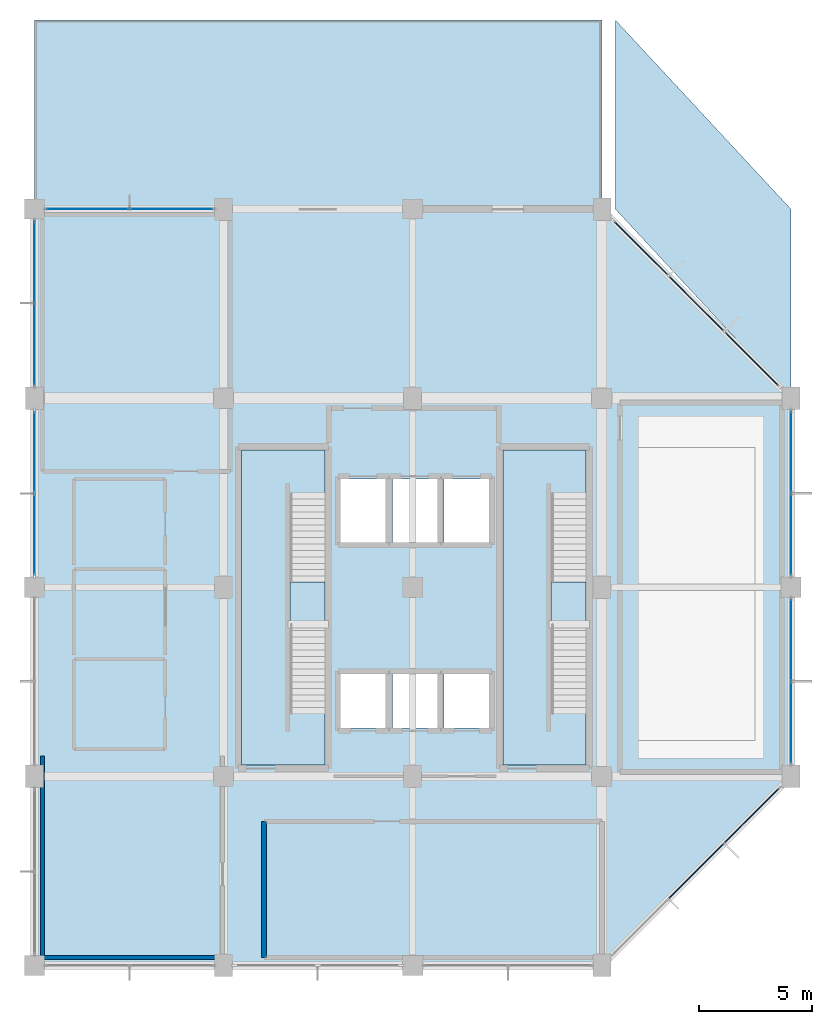
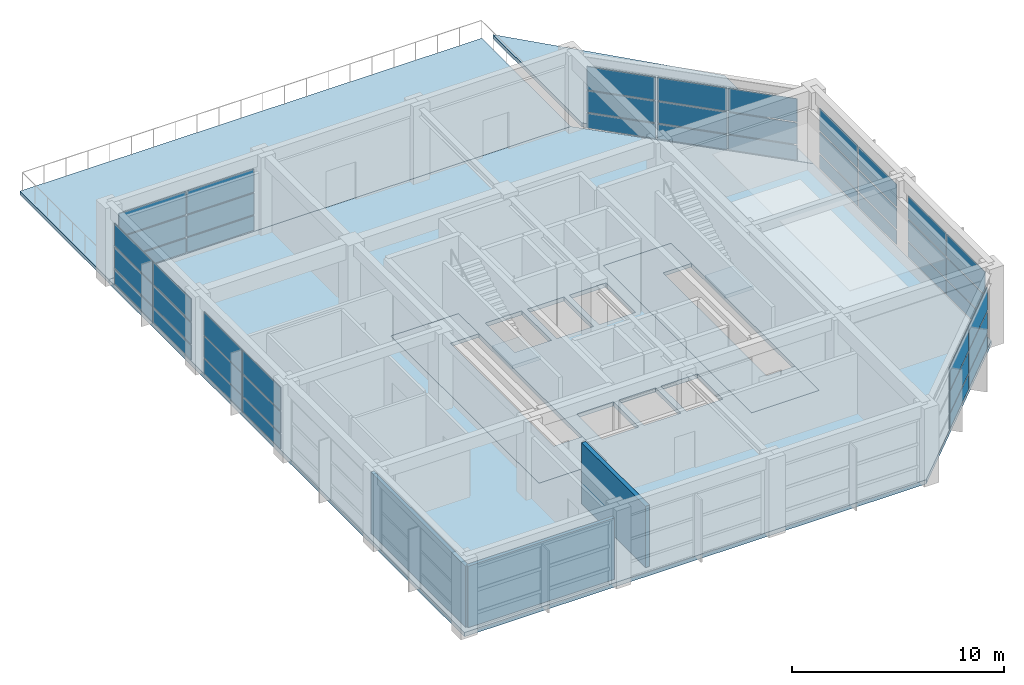
# One storey, part 7 of 10: 45 plates, 7 slabs, 3 walls, 9 elements without a shape of their own.
"""IFC4 building model written with IfcOpenShell, lengths in metres."""

import ifcopenshell
import ifcopenshell.guid

model = None  # the IFC model being written
_history = None  # IfcOwnerHistory: only IFC2X3 demands one
_inside = {}  # id of a spatial element -> (the spatial element, [elements in it])
_under = {}  # id of a project, library or spatial element -> (it, [spatial elements below it])
_declared = {}  # id of a project -> (the project, [libraries it declares])
_typed = {}  # id of a type object -> (the type object, [elements of that type])
_made_of = {}  # id of a material, layer set ... -> (it, [elements and type objects made of it])


def new_model(schema):
    """Start an empty IFC model of exactly this schema.

    Asked for "IFC4X3", IfcOpenShell would pick the latest addendum, in which some entities
    have other attributes; the version numbers below select the first issue.
    IFC2X3 requires an IfcOwnerHistory on every rooted entity: one is made here for all.
    """
    global model, _history
    if schema == "IFC4X3":
        model = ifcopenshell.file(schema_version=(4, 3, 0, 0))
    else:
        model = ifcopenshell.file(schema=schema)
    _inside.clear()
    _under.clear()
    _declared.clear()
    _typed.clear()
    _made_of.clear()
    _history = None
    if model.schema == "IFC2X3":
        org = make("IfcOrganization", Name="unknown")
        user = make(
            "IfcPersonAndOrganization",
            ThePerson=make("IfcPerson", FamilyName="unknown"),
            TheOrganization=org,
        )
        app = make(
            "IfcApplication",
            ApplicationDeveloper=org,
            Version="unknown",
            ApplicationFullName="unknown",
            ApplicationIdentifier="unknown",
        )
        _history = make(
            "IfcOwnerHistory",
            OwningUser=user,
            OwningApplication=app,
            ChangeAction="ADDED",
            CreationDate=0,
        )
    return model


def make(cls, **values):
    """One entity of the class cls with the attributes given. An attribute that is None is left unset."""
    return model.create_entity(
        cls, **{name: value for name, value in values.items() if value is not None}
    )


def rooted(cls, **values):
    """An entity with a GlobalId (a new one), such as an element, a storey or a relation."""
    return make(cls, GlobalId=ifcopenshell.guid.new(), OwnerHistory=_history, **values)


def si_unit(unit_type, name, prefix=None):
    """IfcSIUnit, for example si_unit("LENGTHUNIT", "METRE", prefix="MILLI")."""
    return make("IfcSIUnit", UnitType=unit_type, Prefix=prefix, Name=name)


def assignment(units):
    """IfcUnitAssignment: the units of a project."""
    return None if units is None else make("IfcUnitAssignment", Units=units)


def point(xyz):
    """IfcCartesianPoint."""
    return None if xyz is None else make("IfcCartesianPoint", Coordinates=xyz)


def direction(xyz):
    """IfcDirection."""
    return None if xyz is None else make("IfcDirection", DirectionRatios=xyz)


def frame(location, z_axis=None, x_axis=None):
    """IfcAxis2Placement3D, a coordinate frame: its origin and axes. An axis left out is left unset."""
    return make(
        "IfcAxis2Placement3D",
        Location=point(location),
        Axis=direction(z_axis),
        RefDirection=direction(x_axis),
    )


def frame_2d(location, x_axis=None):
    """IfcAxis2Placement2D, a coordinate frame in the plane: its origin and x axis."""
    return make(
        "IfcAxis2Placement2D", Location=point(location), RefDirection=direction(x_axis)
    )


def origin():
    """The frame at (0, 0, 0) with its axes left unset."""
    return frame((0.0, 0.0, 0.0))


def origin_2d():
    """The frame at (0, 0) in the plane with its x axis left unset."""
    return frame_2d((0.0, 0.0))


def place(relative_to, where):
    """IfcLocalPlacement: puts the frame where relative to a parent placement (None: the world)."""
    return make(
        "IfcLocalPlacement", PlacementRelTo=relative_to, RelativePlacement=where
    )


def context(
    kind, dimensions, precision=None, world=None, true_north=None, identifier=None
):
    """IfcGeometricRepresentationContext, for example the 3D "Model" context."""
    return make(
        "IfcGeometricRepresentationContext",
        ContextIdentifier=identifier,
        ContextType=kind,
        CoordinateSpaceDimension=dimensions,
        Precision=precision,
        WorldCoordinateSystem=world,
        TrueNorth=true_north,
    )


def subcontext(parent, identifier, kind, view, scale=None):
    """IfcGeometricRepresentationSubContext, for example "Body" below "Model"."""
    return make(
        "IfcGeometricRepresentationSubContext",
        ContextIdentifier=identifier,
        ContextType=kind,
        ParentContext=parent,
        TargetScale=scale,
        TargetView=view,
    )


def project(units=None, contexts=None):
    """IfcProject with its units and contexts."""
    return rooted(
        "IfcProject",
        Name="project",
        RepresentationContexts=contexts,
        UnitsInContext=assignment(units),
    )


def spatial(cls, under=None, at=None, **own):
    """A site, building, storey or space (cls), placed at a placement, below another one or the project."""
    s = rooted(cls, ObjectPlacement=at, **own)
    if under is not None:
        _under.setdefault(under.id(), (under, []))[1].append(s)
    return s


def polyline(points):
    """IfcPolyline through the points."""
    return make("IfcPolyline", Points=[point(p) for p in points])


def profile(cls, at=None, kind="AREA", **sizes):
    """A parametric profile (cls). Its sizes go by their IFC names, for example OverallWidth=200.0."""
    return make(cls, ProfileType=kind, Position=at, **sizes)


def rectangle(**sizes):
    """IfcRectangleProfileDef."""
    return profile("IfcRectangleProfileDef", **sizes)


def outline(outer, holes=None, kind="AREA"):
    """IfcArbitraryClosedProfileDef: a profile drawn as a closed curve; with holes, ...WithVoids."""
    if holes is None:
        return make("IfcArbitraryClosedProfileDef", ProfileType=kind, OuterCurve=outer)
    return make(
        "IfcArbitraryProfileDefWithVoids",
        ProfileType=kind,
        OuterCurve=outer,
        InnerCurves=holes,
    )


def extrude(swept, where, along, depth):
    """IfcExtrudedAreaSolid: the profile swept, set in the frame where, extruded along a direction by depth."""
    return make(
        "IfcExtrudedAreaSolid",
        SweptArea=swept,
        Position=where,
        ExtrudedDirection=direction(along),
        Depth=depth,
    )


def shape(context_of_items, identifier, shape_type, items):
    """IfcShapeRepresentation: the items that make up one representation, for example the "Body"."""
    return make(
        "IfcShapeRepresentation",
        ContextOfItems=context_of_items,
        RepresentationIdentifier=identifier,
        RepresentationType=shape_type,
        Items=items,
    )


def material(Name=None, Category=None):
    """IfcMaterial."""
    return make("IfcMaterial", Name=Name, Category=Category)


def layer(
    of_material, thickness, ventilated=None, Name=None, Category=None, Priority=None
):
    """IfcMaterialLayer: one layer of a wall or slab, of a material (None: an air gap)."""
    return make(
        "IfcMaterialLayer",
        Material=of_material,
        LayerThickness=thickness,
        IsVentilated=ventilated,
        Name=Name,
        Category=Category,
        Priority=Priority,
    )


def layer_set(layers, Name=None):
    """IfcMaterialLayerSet."""
    return make("IfcMaterialLayerSet", MaterialLayers=layers, LayerSetName=Name)


def made_of(thing, what):
    """Note that an element or type object is made of a material, layer set ...; save() writes the relation."""
    if what is not None:
        _made_of.setdefault(what.id(), (what, []))[1].append(thing)
    return thing


def type_object(cls, material=None, **own):
    """A type object (cls), such as IfcWallType, which elements share."""
    return made_of(rooted(cls, **own), material)


def element(
    cls,
    number,
    at=None,
    inside=None,
    cuts=None,
    type_object=None,
    material=None,
    context=None,
    identifier="Body",
    shape_type=None,
    held_by="IfcProductDefinitionShape",
    body=None,
    shapes=None,
    **own,
):
    """One element of the class cls, such as IfcWall. Its Tag is "e" and its number.

    at: its placement. inside: the storey or other place that contains it. cuts: it is an
    opening in that element (IfcRelVoidsElement). A single representation is given by context,
    identifier, shape_type and body (its items); several are given by shapes. held_by: the class
    of the entity that holds the representations. save() writes the other relations.
    """
    e = rooted(cls, Tag="e%d" % number, ObjectPlacement=at, **own)
    if body is not None:
        shapes = [shape(context, identifier, shape_type, body)]
    if shapes is not None:
        e.Representation = make(held_by, Representations=shapes)
    if inside is not None:
        _inside.setdefault(inside.id(), (inside, []))[1].append(e)
    if cuts is not None:
        rooted(
            "IfcRelVoidsElement", RelatingBuildingElement=cuts, RelatedOpeningElement=e
        )
    if type_object is not None:
        _typed.setdefault(type_object.id(), (type_object, []))[1].append(e)
    return made_of(e, material)


def aggregate(whole, parts):
    """IfcRelAggregates: a whole, such as a stair, and the parts it consists of."""
    return rooted("IfcRelAggregates", RelatingObject=whole, RelatedObjects=parts)


def save(model, path):
    """Write the relations noted so far, then the file.

    IfcRelAggregates (storeys below a building ...), IfcRelContainedInSpatialStructure (elements
    in a storey), IfcRelDefinesByType, IfcRelAssociatesMaterial and IfcRelDeclares: one each for
    every whole, place, type object, material and project.
    """
    for whole, parts in _under.values():
        aggregate(whole, parts)
    for where, things in _inside.values():
        rooted(
            "IfcRelContainedInSpatialStructure",
            RelatedElements=things,
            RelatingStructure=where,
        )
    for kind, things in _typed.values():
        rooted("IfcRelDefinesByType", RelatedObjects=things, RelatingType=kind)
    for what, things in _made_of.values():
        rooted("IfcRelAssociatesMaterial", RelatedObjects=things, RelatingMaterial=what)
    for by, libraries in _declared.values():
        rooted("IfcRelDeclares", RelatingContext=by, RelatedDefinitions=libraries)
    model.write(path)


model = new_model("IFC4")

# Units and contexts
model_context = context("Model", 3, precision=1e-05, world=origin(), true_north=direction((0.0, 1.0)))
body_context = subcontext(model_context, "Body", "Model", "MODEL_VIEW")
ifc_project = project(units=[si_unit("LENGTHUNIT", "METRE"), si_unit("AREAUNIT", "SQUARE_METRE"), si_unit("VOLUMEUNIT", "CUBIC_METRE"), si_unit("PLANEANGLEUNIT", "RADIAN"), si_unit("MASSUNIT", "GRAM", prefix="KILO")], contexts=[model_context])

# Site, building, storey
site_placement = place(None, origin())
site = spatial("IfcSite", under=ifc_project, at=site_placement, CompositionType="ELEMENT")
building_placement = place(site_placement, origin())
building = spatial("IfcBuilding", under=site, at=building_placement, Name="Xuanlan Plaza Opera House", CompositionType="ELEMENT")
storey_placement = place(building_placement, frame((0.0, 0.0, 69.89990234375)))
storey = spatial("IfcBuildingStorey", under=building, at=storey_placement, Name="L16", CompositionType="ELEMENT", Elevation=69.89990234375)

# Curtain wall, plates
ifc_material_1 = material(Name="Anodised Aluminium 6063-T6 and Low-E Glass", Category="aluminium")
curtain_wall_type_1 = type_object("IfcCurtainWallType", Name="ENV-CW-CW-04", PredefinedType="USERDEFINED", material=ifc_material_1)
curtain_wall_1_placement = place(storey_placement, origin())
curtain_wall_1 = element("IfcCurtainWall", 1, at=curtain_wall_1_placement, inside=storey, type_object=curtain_wall_type_1, Name="Unitised Curtain Wall L16-006", ObjectType="UNITISED CURTAIN WALL", PredefinedType="USERDEFINED")
ifc_material_2 = material(Name="Laminated Acoustic Double Glazing", Category="glass")
ifc_layer_1 = layer(ifc_material_2, 0.028076171875)
ifc_layer_set_1 = layer_set([ifc_layer_1], Name="Laminated Acoustic Double Glazing")
plate_type_1 = type_object("IfcPlateType", Name="ENV-CWP-01", PredefinedType="CURTAIN_PANEL", material=ifc_layer_set_1)
plate_1_placement = place(storey_placement, frame((159.60009765625, 61.142578125, 0.090087890625), z_axis=(0.0, 0.0, 1.0), x_axis=(0.0, 1.0, 0.0)))
plate_1 = element("IfcPlate", 2, at=plate_1_placement, type_object=plate_type_1, Name="CW-04 panel 1.1", PredefinedType="CURTAIN_PANEL", context=body_context, shape_type="SweptSolid", body=[
    extrude(rectangle(XDim=3.5849609375, YDim=0.028076171875, at=origin_2d()), origin(), (0.0, 0.0, 1.0), 0.81494140625),
])
plate_2_placement = place(storey_placement, frame((159.60009765625, 61.142578125, 0.9951171875), z_axis=(0.0, 0.0, 1.0), x_axis=(0.0, 1.0, 0.0)))
plate_2 = element("IfcPlate", 3, at=plate_2_placement, type_object=plate_type_1, Name="CW-04 panel 1.2", PredefinedType="CURTAIN_PANEL", context=body_context, shape_type="SweptSolid", body=[
    extrude(rectangle(XDim=3.5849609375, YDim=0.028076171875, at=origin_2d()), origin(), (0.0, 0.0, 1.0), 1.2099609375),
])
plate_3_placement = place(storey_placement, frame((159.60009765625, 61.142578125, 2.295166015625), z_axis=(0.0, 0.0, 1.0), x_axis=(0.0, 1.0, 0.0)))
plate_3 = element("IfcPlate", 4, at=plate_3_placement, type_object=plate_type_1, Name="CW-04 panel 1.3", PredefinedType="CURTAIN_PANEL", context=body_context, shape_type="SweptSolid", body=[
    extrude(rectangle(XDim=3.5849609375, YDim=0.028076171875, at=origin_2d()), origin(), (0.0, 0.0, 1.0), 1.294921875),
])
plate_4_placement = place(storey_placement, frame((159.60009765625, 64.8076171875, 0.090087890625), z_axis=(0.0, 0.0, 1.0), x_axis=(0.0, 1.0, 0.0)))
plate_4 = element("IfcPlate", 5, at=plate_4_placement, type_object=plate_type_1, Name="CW-04 panel 2.1", PredefinedType="CURTAIN_PANEL", context=body_context, shape_type="SweptSolid", body=[
    extrude(rectangle(XDim=3.5849609375, YDim=0.028076171875, at=origin_2d()), origin(), (0.0, 0.0, 1.0), 0.81494140625),
])
plate_5_placement = place(storey_placement, frame((159.60009765625, 64.8076171875, 0.9951171875), z_axis=(0.0, 0.0, 1.0), x_axis=(0.0, 1.0, 0.0)))
plate_5 = element("IfcPlate", 6, at=plate_5_placement, type_object=plate_type_1, Name="CW-04 panel 2.2", PredefinedType="CURTAIN_PANEL", context=body_context, shape_type="SweptSolid", body=[
    extrude(rectangle(XDim=3.5849609375, YDim=0.028076171875, at=origin_2d()), origin(), (0.0, 0.0, 1.0), 1.2099609375),
])
plate_6_placement = place(storey_placement, frame((159.60009765625, 64.8076171875, 2.295166015625), z_axis=(0.0, 0.0, 1.0), x_axis=(0.0, 1.0, 0.0)))
plate_6 = element("IfcPlate", 7, at=plate_6_placement, type_object=plate_type_1, Name="CW-04 panel 2.3", PredefinedType="CURTAIN_PANEL", context=body_context, shape_type="SweptSolid", body=[
    extrude(rectangle(XDim=3.5849609375, YDim=0.028076171875, at=origin_2d()), origin(), (0.0, 0.0, 1.0), 1.294921875),
])
aggregate(curtain_wall_1, [plate_1, plate_2, plate_3, plate_4, plate_5, plate_6])

curtain_wall_type_2 = type_object("IfcCurtainWallType", Name="ENV-CW-CW-01", PredefinedType="USERDEFINED", material=ifc_material_1)
curtain_wall_2_placement = place(storey_placement, origin())
curtain_wall_2 = element("IfcCurtainWall", 8, at=curtain_wall_2_placement, inside=storey, type_object=curtain_wall_type_2, Name="Unitised Curtain Wall L16-011", ObjectType="UNITISED CURTAIN WALL", PredefinedType="USERDEFINED")
plate_7_placement = place(storey_placement, frame((126.0, 73.257568359375, 0.090087890625), z_axis=(0.0, 0.0, 1.0), x_axis=(0.0, -1.0, 0.0)))
plate_7 = element("IfcPlate", 9, at=plate_7_placement, type_object=plate_type_1, Name="CW-01 panel 1.1", PredefinedType="CURTAIN_PANEL", context=body_context, shape_type="SweptSolid", body=[
    extrude(rectangle(XDim=3.5849609375, YDim=0.028076171875, at=origin_2d()), origin(), (0.0, 0.0, 1.0), 0.81494140625),
])
plate_8_placement = place(storey_placement, frame((126.0, 73.257568359375, 0.9951171875), z_axis=(0.0, 0.0, 1.0), x_axis=(0.0, -1.0, 0.0)))
plate_8 = element("IfcPlate", 10, at=plate_8_placement, type_object=plate_type_1, Name="CW-01 panel 1.2", PredefinedType="CURTAIN_PANEL", context=body_context, shape_type="SweptSolid", body=[
    extrude(rectangle(XDim=3.5849609375, YDim=0.028076171875, at=origin_2d()), origin(), (0.0, 0.0, 1.0), 1.2099609375),
])
plate_9_placement = place(storey_placement, frame((126.0, 73.257568359375, 2.295166015625), z_axis=(0.0, 0.0, 1.0), x_axis=(0.0, -1.0, 0.0)))
plate_9 = element("IfcPlate", 11, at=plate_9_placement, type_object=plate_type_1, Name="CW-01 panel 1.3", PredefinedType="CURTAIN_PANEL", context=body_context, shape_type="SweptSolid", body=[
    extrude(rectangle(XDim=3.5849609375, YDim=0.028076171875, at=origin_2d()), origin(), (0.0, 0.0, 1.0), 1.294921875),
])
plate_10_placement = place(storey_placement, frame((126.0, 69.592529296875, 0.090087890625), z_axis=(0.0, 0.0, 1.0), x_axis=(0.0, -1.0, 0.0)))
plate_10 = element("IfcPlate", 12, at=plate_10_placement, type_object=plate_type_1, Name="CW-01 panel 2.1", PredefinedType="CURTAIN_PANEL", context=body_context, shape_type="SweptSolid", body=[
    extrude(rectangle(XDim=3.5849609375, YDim=0.028076171875, at=origin_2d()), origin(), (0.0, 0.0, 1.0), 0.81494140625),
])
plate_11_placement = place(storey_placement, frame((126.0, 69.592529296875, 0.9951171875), z_axis=(0.0, 0.0, 1.0), x_axis=(0.0, -1.0, 0.0)))
plate_11 = element("IfcPlate", 13, at=plate_11_placement, type_object=plate_type_1, Name="CW-01 panel 2.2", PredefinedType="CURTAIN_PANEL", context=body_context, shape_type="SweptSolid", body=[
    extrude(rectangle(XDim=3.5849609375, YDim=0.028076171875, at=origin_2d()), origin(), (0.0, 0.0, 1.0), 1.2099609375),
])
plate_12_placement = place(storey_placement, frame((126.0, 69.592529296875, 2.295166015625), z_axis=(0.0, 0.0, 1.0), x_axis=(0.0, -1.0, 0.0)))
plate_12 = element("IfcPlate", 14, at=plate_12_placement, type_object=plate_type_1, Name="CW-01 panel 2.3", PredefinedType="CURTAIN_PANEL", context=body_context, shape_type="SweptSolid", body=[
    extrude(rectangle(XDim=3.5849609375, YDim=0.028076171875, at=origin_2d()), origin(), (0.0, 0.0, 1.0), 1.294921875),
])
aggregate(curtain_wall_2, [plate_7, plate_8, plate_9, plate_10, plate_11, plate_12])

curtain_wall_type_3 = type_object("IfcCurtainWallType", Name="ENV-CW-CW-03", PredefinedType="USERDEFINED", material=ifc_material_1)
curtain_wall_3_placement = place(storey_placement, origin())
curtain_wall_3 = element("IfcCurtainWall", 15, at=curtain_wall_3_placement, inside=storey, type_object=curtain_wall_type_3, Name="Unitised Curtain Wall L16-005", ObjectType="UNITISED CURTAIN WALL", PredefinedType="USERDEFINED")
ifc_layer_2 = layer(ifc_material_2, 0.035888671875)
ifc_layer_set_2 = layer_set([ifc_layer_2], Name="Laminated Acoustic Double Glazing")
plate_type_2 = type_object("IfcPlateType", Name="ENV-CWP-03", PredefinedType="CURTAIN_PANEL", material=ifc_layer_set_2)
plate_13_placement = place(storey_placement, frame((159.60009765625, 52.791259765625, 0.0751953125), z_axis=(0.0, 0.0, 1.0), x_axis=(0.0, 1.0, 0.0)))
plate_13 = element("IfcPlate", 16, at=plate_13_placement, type_object=plate_type_2, Name="CW-03 panel 1.1", PredefinedType="CURTAIN_PANEL", context=body_context, shape_type="SweptSolid", body=[
    extrude(rectangle(XDim=3.592529296875, YDim=0.035888671875, at=origin_2d()), origin(), (0.0, 0.0, 1.0), 0.83740234375),
])
plate_14_placement = place(storey_placement, frame((159.60009765625, 52.791259765625, 0.987548828125), z_axis=(0.0, 0.0, 1.0), x_axis=(0.0, 1.0, 0.0)))
plate_14 = element("IfcPlate", 17, at=plate_14_placement, type_object=plate_type_2, Name="CW-03 panel 1.2", PredefinedType="CURTAIN_PANEL", context=body_context, shape_type="SweptSolid", body=[
    extrude(rectangle(XDim=3.592529296875, YDim=0.035888671875, at=origin_2d()), origin(), (0.0, 0.0, 1.0), 1.22509765625),
])
plate_15_placement = place(storey_placement, frame((159.60009765625, 52.791259765625, 2.28759765625), z_axis=(0.0, 0.0, 1.0), x_axis=(0.0, 1.0, 0.0)))
plate_15 = element("IfcPlate", 18, at=plate_15_placement, type_object=plate_type_2, Name="CW-03 panel 1.3", PredefinedType="CURTAIN_PANEL", context=body_context, shape_type="SweptSolid", body=[
    extrude(rectangle(XDim=3.592529296875, YDim=0.035888671875, at=origin_2d()), origin(), (0.0, 0.0, 1.0), 1.3173828125),
])
plate_16_placement = place(storey_placement, frame((159.60009765625, 56.458740234375, 0.0751953125), z_axis=(0.0, 0.0, 1.0), x_axis=(0.0, 1.0, 0.0)))
plate_16 = element("IfcPlate", 19, at=plate_16_placement, type_object=plate_type_2, Name="CW-03 panel 2.1", PredefinedType="CURTAIN_PANEL", context=body_context, shape_type="SweptSolid", body=[
    extrude(rectangle(XDim=3.592529296875, YDim=0.035888671875, at=origin_2d()), origin(), (0.0, 0.0, 1.0), 0.83740234375),
])
plate_17_placement = place(storey_placement, frame((159.60009765625, 56.458740234375, 0.987548828125), z_axis=(0.0, 0.0, 1.0), x_axis=(0.0, 1.0, 0.0)))
plate_17 = element("IfcPlate", 20, at=plate_17_placement, type_object=plate_type_2, Name="CW-03 panel 2.2", PredefinedType="CURTAIN_PANEL", context=body_context, shape_type="SweptSolid", body=[
    extrude(rectangle(XDim=3.592529296875, YDim=0.035888671875, at=origin_2d()), origin(), (0.0, 0.0, 1.0), 1.22509765625),
])
plate_18_placement = place(storey_placement, frame((159.60009765625, 56.458740234375, 2.28759765625), z_axis=(0.0, 0.0, 1.0), x_axis=(0.0, 1.0, 0.0)))
plate_18 = element("IfcPlate", 21, at=plate_18_placement, type_object=plate_type_2, Name="CW-03 panel 2.3", PredefinedType="CURTAIN_PANEL", context=body_context, shape_type="SweptSolid", body=[
    extrude(rectangle(XDim=3.592529296875, YDim=0.035888671875, at=origin_2d()), origin(), (0.0, 0.0, 1.0), 1.3173828125),
])
aggregate(curtain_wall_3, [plate_13, plate_14, plate_15, plate_16, plate_17, plate_18])

curtain_wall_4_placement = place(storey_placement, origin())
curtain_wall_4 = element("IfcCurtainWall", 22, at=curtain_wall_4_placement, inside=storey, type_object=curtain_wall_type_1, Name="Unitised Curtain Wall L16-010", ObjectType="UNITISED CURTAIN WALL", PredefinedType="USERDEFINED")
plate_19_placement = place(storey_placement, frame((132.083740234375, 75.60009765625, 0.0751953125), z_axis=(0.0, 0.0, 1.0), x_axis=(-1.0, 0.0, 0.0)))
plate_19 = element("IfcPlate", 23, at=plate_19_placement, type_object=plate_type_2, Name="CW-04 panel 1.1", PredefinedType="CURTAIN_PANEL", context=body_context, shape_type="SweptSolid", body=[
    extrude(rectangle(XDim=3.642578125, YDim=0.035888671875, at=origin_2d()), origin(), (0.0, 0.0, 1.0), 0.83740234375),
])
plate_20_placement = place(storey_placement, frame((132.083740234375, 75.60009765625, 0.987548828125), z_axis=(0.0, 0.0, 1.0), x_axis=(-1.0, 0.0, 0.0)))
plate_20 = element("IfcPlate", 24, at=plate_20_placement, type_object=plate_type_2, Name="CW-04 panel 1.2", PredefinedType="CURTAIN_PANEL", context=body_context, shape_type="SweptSolid", body=[
    extrude(rectangle(XDim=3.642578125, YDim=0.035888671875, at=origin_2d()), origin(), (0.0, 0.0, 1.0), 1.22509765625),
])
plate_21_placement = place(storey_placement, frame((132.083740234375, 75.60009765625, 2.28759765625), z_axis=(0.0, 0.0, 1.0), x_axis=(-1.0, 0.0, 0.0)))
plate_21 = element("IfcPlate", 25, at=plate_21_placement, type_object=plate_type_2, Name="CW-04 panel 1.3", PredefinedType="CURTAIN_PANEL", context=body_context, shape_type="SweptSolid", body=[
    extrude(rectangle(XDim=3.642578125, YDim=0.035888671875, at=origin_2d()), origin(), (0.0, 0.0, 1.0), 1.3173828125),
])
plate_22_placement = place(storey_placement, frame((128.3662109375, 75.60009765625, 0.0751953125), z_axis=(0.0, 0.0, 1.0), x_axis=(-1.0, 0.0, 0.0)))
plate_22 = element("IfcPlate", 26, at=plate_22_placement, type_object=plate_type_2, Name="CW-04 panel 2.1", PredefinedType="CURTAIN_PANEL", context=body_context, shape_type="SweptSolid", body=[
    extrude(rectangle(XDim=3.642578125, YDim=0.035888671875, at=origin_2d()), origin(), (0.0, 0.0, 1.0), 0.83740234375),
])
plate_23_placement = place(storey_placement, frame((128.3662109375, 75.60009765625, 0.987548828125), z_axis=(0.0, 0.0, 1.0), x_axis=(-1.0, 0.0, 0.0)))
plate_23 = element("IfcPlate", 27, at=plate_23_placement, type_object=plate_type_2, Name="CW-04 panel 2.2", PredefinedType="CURTAIN_PANEL", context=body_context, shape_type="SweptSolid", body=[
    extrude(rectangle(XDim=3.642578125, YDim=0.035888671875, at=origin_2d()), origin(), (0.0, 0.0, 1.0), 1.22509765625),
])
plate_24_placement = place(storey_placement, frame((128.3662109375, 75.60009765625, 2.28759765625), z_axis=(0.0, 0.0, 1.0), x_axis=(-1.0, 0.0, 0.0)))
plate_24 = element("IfcPlate", 28, at=plate_24_placement, type_object=plate_type_2, Name="CW-04 panel 2.3", PredefinedType="CURTAIN_PANEL", context=body_context, shape_type="SweptSolid", body=[
    extrude(rectangle(XDim=3.642578125, YDim=0.035888671875, at=origin_2d()), origin(), (0.0, 0.0, 1.0), 1.3173828125),
])
aggregate(curtain_wall_4, [plate_19, plate_20, plate_21, plate_22, plate_23, plate_24])

curtain_wall_5_placement = place(storey_placement, origin())
curtain_wall_5 = element("IfcCurtainWall", 29, at=curtain_wall_5_placement, inside=storey, type_object=curtain_wall_type_2, Name="Unitised Curtain Wall L16-007", ObjectType="UNITISED CURTAIN WALL", PredefinedType="USERDEFINED")
ifc_layer_3 = layer(ifc_material_2, 0.0400390625)
ifc_layer_set_3 = layer_set([ifc_layer_3], Name="Laminated Acoustic Double Glazing")
plate_type_3 = type_object("IfcPlateType", Name="ENV-CWP-04", PredefinedType="CURTAIN_PANEL", material=ifc_layer_set_3)
plate_25_placement = place(storey_placement, frame((157.851318359375, 68.948486328125, 0.0703125), z_axis=(0.0, 0.0, 1.0), x_axis=(-0.707106781187, 0.707106781187, 0.0)))
plate_25 = element("IfcPlate", 30, at=plate_25_placement, type_object=plate_type_3, Name="CW-01 panel 1.1", PredefinedType="CURTAIN_PANEL", context=body_context, shape_type="SweptSolid", body=[
    extrude(rectangle(XDim=3.354248046875, YDim=0.0400390625, at=origin_2d()), origin(), (0.0, 0.0, 1.0), 0.844970703125),
])
plate_26_placement = place(storey_placement, frame((157.851318359375, 68.948486328125, 0.985107421875), z_axis=(0.0, 0.0, 1.0), x_axis=(-0.707106781187, 0.707106781187, 0.0)))
plate_26 = element("IfcPlate", 31, at=plate_26_placement, type_object=plate_type_3, Name="CW-01 panel 1.2", PredefinedType="CURTAIN_PANEL", context=body_context, shape_type="SweptSolid", body=[
    extrude(rectangle(XDim=3.354248046875, YDim=0.0400390625, at=origin_2d()), origin(), (0.0, 0.0, 1.0), 1.22998046875),
])
plate_27_placement = place(storey_placement, frame((157.851318359375, 68.948486328125, 2.28515625), z_axis=(0.0, 0.0, 1.0), x_axis=(-0.707106781187, 0.707106781187, 0.0)))
plate_27 = element("IfcPlate", 32, at=plate_27_placement, type_object=plate_type_3, Name="CW-01 panel 1.3", PredefinedType="CURTAIN_PANEL", context=body_context, shape_type="SweptSolid", body=[
    extrude(rectangle(XDim=3.354248046875, YDim=0.0400390625, at=origin_2d()), origin(), (0.0, 0.0, 1.0), 1.324951171875),
])
plate_28_placement = place(storey_placement, frame((155.39990234375, 71.39990234375, 0.0703125), z_axis=(0.0, 0.0, 1.0), x_axis=(-0.707106781187, 0.707106781187, 0.0)))
plate_28 = element("IfcPlate", 33, at=plate_28_placement, type_object=plate_type_3, Name="CW-01 panel 2.1", PredefinedType="CURTAIN_PANEL", context=body_context, shape_type="SweptSolid", body=[
    extrude(rectangle(XDim=3.3994140625, YDim=0.0400390625, at=origin_2d()), origin(), (0.0, 0.0, 1.0), 0.844970703125),
])
plate_29_placement = place(storey_placement, frame((155.39990234375, 71.39990234375, 0.985107421875), z_axis=(0.0, 0.0, 1.0), x_axis=(-0.707106781187, 0.707106781187, 0.0)))
plate_29 = element("IfcPlate", 34, at=plate_29_placement, type_object=plate_type_3, Name="CW-01 panel 2.2", PredefinedType="CURTAIN_PANEL", context=body_context, shape_type="SweptSolid", body=[
    extrude(rectangle(XDim=3.3994140625, YDim=0.0400390625, at=origin_2d()), origin(), (0.0, 0.0, 1.0), 1.22998046875),
])
plate_30_placement = place(storey_placement, frame((155.39990234375, 71.39990234375, 2.28515625), z_axis=(0.0, 0.0, 1.0), x_axis=(-0.707106781187, 0.707106781187, 0.0)))
plate_30 = element("IfcPlate", 35, at=plate_30_placement, type_object=plate_type_3, Name="CW-01 panel 2.3", PredefinedType="CURTAIN_PANEL", context=body_context, shape_type="SweptSolid", body=[
    extrude(rectangle(XDim=3.3994140625, YDim=0.0400390625, at=origin_2d()), origin(), (0.0, 0.0, 1.0), 1.324951171875),
])
plate_31_placement = place(storey_placement, frame((152.948486328125, 73.851318359375, 0.0703125), z_axis=(0.0, 0.0, 1.0), x_axis=(-0.707106781187, 0.707106781187, 0.0)))
plate_31 = element("IfcPlate", 36, at=plate_31_placement, type_object=plate_type_3, Name="CW-01 panel 3.1", PredefinedType="CURTAIN_PANEL", context=body_context, shape_type="SweptSolid", body=[
    extrude(rectangle(XDim=3.354248046875, YDim=0.0400390625, at=origin_2d()), origin(), (0.0, 0.0, 1.0), 0.844970703125),
])
plate_32_placement = place(storey_placement, frame((152.948486328125, 73.851318359375, 0.985107421875), z_axis=(0.0, 0.0, 1.0), x_axis=(-0.707106781187, 0.707106781187, 0.0)))
plate_32 = element("IfcPlate", 37, at=plate_32_placement, type_object=plate_type_3, Name="CW-01 panel 3.2", PredefinedType="CURTAIN_PANEL", context=body_context, shape_type="SweptSolid", body=[
    extrude(rectangle(XDim=3.354248046875, YDim=0.0400390625, at=origin_2d()), origin(), (0.0, 0.0, 1.0), 1.22998046875),
])
plate_33_placement = place(storey_placement, frame((152.948486328125, 73.851318359375, 2.28515625), z_axis=(0.0, 0.0, 1.0), x_axis=(-0.707106781187, 0.707106781187, 0.0)))
plate_33 = element("IfcPlate", 38, at=plate_33_placement, type_object=plate_type_3, Name="CW-01 panel 3.3", PredefinedType="CURTAIN_PANEL", context=body_context, shape_type="SweptSolid", body=[
    extrude(rectangle(XDim=3.354248046875, YDim=0.0400390625, at=origin_2d()), origin(), (0.0, 0.0, 1.0), 1.324951171875),
])
aggregate(curtain_wall_5, [plate_25, plate_26, plate_27, plate_28, plate_29, plate_30, plate_31, plate_32, plate_33])

curtain_wall_type_4 = type_object("IfcCurtainWallType", Name="ENV-CW-CW-02", PredefinedType="USERDEFINED", material=ifc_material_1)
curtain_wall_6_placement = place(storey_placement, origin())
curtain_wall_6 = element("IfcCurtainWall", 39, at=curtain_wall_6_placement, inside=storey, type_object=curtain_wall_type_4, Name="Unitised Curtain Wall L16-012", ObjectType="UNITISED CURTAIN WALL", PredefinedType="USERDEFINED")
plate_34_placement = place(storey_placement, frame((126.0, 64.804931640625, 0.0703125), z_axis=(0.0, 0.0, 1.0), x_axis=(0.0, -1.0, 0.0)))
plate_34 = element("IfcPlate", 40, at=plate_34_placement, type_object=plate_type_3, Name="CW-02 panel 1.1", PredefinedType="CURTAIN_PANEL", context=body_context, shape_type="SweptSolid", body=[
    extrude(rectangle(XDim=3.570068359375, YDim=0.0400390625, at=origin_2d()), origin(), (0.0, 0.0, 1.0), 0.844970703125),
])
plate_35_placement = place(storey_placement, frame((126.0, 64.804931640625, 0.985107421875), z_axis=(0.0, 0.0, 1.0), x_axis=(0.0, -1.0, 0.0)))
plate_35 = element("IfcPlate", 41, at=plate_35_placement, type_object=plate_type_3, Name="CW-02 panel 1.2", PredefinedType="CURTAIN_PANEL", context=body_context, shape_type="SweptSolid", body=[
    extrude(rectangle(XDim=3.570068359375, YDim=0.0400390625, at=origin_2d()), origin(), (0.0, 0.0, 1.0), 1.22998046875),
])
plate_36_placement = place(storey_placement, frame((126.0, 64.804931640625, 2.28515625), z_axis=(0.0, 0.0, 1.0), x_axis=(0.0, -1.0, 0.0)))
plate_36 = element("IfcPlate", 42, at=plate_36_placement, type_object=plate_type_3, Name="CW-02 panel 1.3", PredefinedType="CURTAIN_PANEL", context=body_context, shape_type="SweptSolid", body=[
    extrude(rectangle(XDim=3.570068359375, YDim=0.0400390625, at=origin_2d()), origin(), (0.0, 0.0, 1.0), 1.324951171875),
])
plate_37_placement = place(storey_placement, frame((126.0, 61.14501953125, 0.0703125), z_axis=(0.0, 0.0, 1.0), x_axis=(0.0, -1.0, 0.0)))
plate_37 = element("IfcPlate", 43, at=plate_37_placement, type_object=plate_type_3, Name="CW-02 panel 2.1", PredefinedType="CURTAIN_PANEL", context=body_context, shape_type="SweptSolid", body=[
    extrude(rectangle(XDim=3.570068359375, YDim=0.0400390625, at=origin_2d()), origin(), (0.0, 0.0, 1.0), 0.844970703125),
])
plate_38_placement = place(storey_placement, frame((126.0, 61.14501953125, 0.985107421875), z_axis=(0.0, 0.0, 1.0), x_axis=(0.0, -1.0, 0.0)))
plate_38 = element("IfcPlate", 44, at=plate_38_placement, type_object=plate_type_3, Name="CW-02 panel 2.2", PredefinedType="CURTAIN_PANEL", context=body_context, shape_type="SweptSolid", body=[
    extrude(rectangle(XDim=3.570068359375, YDim=0.0400390625, at=origin_2d()), origin(), (0.0, 0.0, 1.0), 1.22998046875),
])
plate_39_placement = place(storey_placement, frame((126.0, 61.14501953125, 2.28515625), z_axis=(0.0, 0.0, 1.0), x_axis=(0.0, -1.0, 0.0)))
plate_39 = element("IfcPlate", 45, at=plate_39_placement, type_object=plate_type_3, Name="CW-02 panel 2.3", PredefinedType="CURTAIN_PANEL", context=body_context, shape_type="SweptSolid", body=[
    extrude(rectangle(XDim=3.570068359375, YDim=0.0400390625, at=origin_2d()), origin(), (0.0, 0.0, 1.0), 1.324951171875),
])
aggregate(curtain_wall_6, [plate_34, plate_35, plate_36, plate_37, plate_38, plate_39])

curtain_wall_7_placement = place(storey_placement, origin())
curtain_wall_7 = element("IfcCurtainWall", 46, at=curtain_wall_7_placement, inside=storey, type_object=curtain_wall_type_4, Name="Unitised Curtain Wall L16-004", ObjectType="UNITISED CURTAIN WALL", PredefinedType="USERDEFINED")
ifc_layer_4 = layer(ifc_material_2, 0.0439453125)
ifc_layer_set_4 = layer_set([ifc_layer_4], Name="Laminated Acoustic Double Glazing")
plate_type_4 = type_object("IfcPlateType", Name="ENV-CWP-05", PredefinedType="CURTAIN_PANEL", material=ifc_layer_set_4)
plate_40_placement = place(storey_placement, frame((155.39990234375, 46.199951171875, 0.065185546875), z_axis=(0.0, 0.0, 1.0), x_axis=(0.707106781187, 0.707106781187, 0.0)))
plate_40 = element("IfcPlate", 47, at=plate_40_placement, type_object=plate_type_4, Name="CW-02 panel 2.1", PredefinedType="CURTAIN_PANEL", context=body_context, shape_type="SweptSolid", body=[
    extrude(rectangle(XDim=3.41943359375, YDim=0.0439453125, at=origin_2d()), origin(), (0.0, 0.0, 1.0), 0.8525390625),
])
plate_41_placement = place(storey_placement, frame((155.39990234375, 46.199951171875, 0.982421875), z_axis=(0.0, 0.0, 1.0), x_axis=(0.707106781187, 0.707106781187, 0.0)))
plate_41 = element("IfcPlate", 48, at=plate_41_placement, type_object=plate_type_4, Name="CW-02 panel 2.2", PredefinedType="CURTAIN_PANEL", context=body_context, shape_type="SweptSolid", body=[
    extrude(rectangle(XDim=3.41943359375, YDim=0.0439453125, at=origin_2d()), origin(), (0.0, 0.0, 1.0), 1.235107421875),
])
plate_42_placement = place(storey_placement, frame((155.39990234375, 46.199951171875, 2.282470703125), z_axis=(0.0, 0.0, 1.0), x_axis=(0.707106781187, 0.707106781187, 0.0)))
plate_42 = element("IfcPlate", 49, at=plate_42_placement, type_object=plate_type_4, Name="CW-02 panel 2.3", PredefinedType="CURTAIN_PANEL", context=body_context, shape_type="SweptSolid", body=[
    extrude(rectangle(XDim=3.41943359375, YDim=0.0439453125, at=origin_2d()), origin(), (0.0, 0.0, 1.0), 1.33251953125),
])
plate_43_placement = place(storey_placement, frame((157.85498046875, 48.655029296875, 0.065185546875), z_axis=(0.0, 0.0, 1.0), x_axis=(0.707106781187, 0.707106781187, 0.0)))
plate_43 = element("IfcPlate", 50, at=plate_43_placement, type_object=plate_type_4, Name="CW-02 panel 3.1", PredefinedType="CURTAIN_PANEL", context=body_context, shape_type="SweptSolid", body=[
    extrude(rectangle(XDim=3.38427734375, YDim=0.0439453125, at=origin_2d()), origin(), (0.0, 0.0, 1.0), 0.8525390625),
])
plate_44_placement = place(storey_placement, frame((157.85498046875, 48.655029296875, 0.982421875), z_axis=(0.0, 0.0, 1.0), x_axis=(0.707106781187, 0.707106781187, 0.0)))
plate_44 = element("IfcPlate", 51, at=plate_44_placement, type_object=plate_type_4, Name="CW-02 panel 3.2", PredefinedType="CURTAIN_PANEL", context=body_context, shape_type="SweptSolid", body=[
    extrude(rectangle(XDim=3.38427734375, YDim=0.0439453125, at=origin_2d()), origin(), (0.0, 0.0, 1.0), 1.235107421875),
])
plate_45_placement = place(storey_placement, frame((157.85498046875, 48.655029296875, 2.282470703125), z_axis=(0.0, 0.0, 1.0), x_axis=(0.707106781187, 0.707106781187, 0.0)))
plate_45 = element("IfcPlate", 52, at=plate_45_placement, type_object=plate_type_4, Name="CW-02 panel 3.3", PredefinedType="CURTAIN_PANEL", context=body_context, shape_type="SweptSolid", body=[
    extrude(rectangle(XDim=3.38427734375, YDim=0.0439453125, at=origin_2d()), origin(), (0.0, 0.0, 1.0), 1.33251953125),
])
aggregate(curtain_wall_7, [plate_40, plate_41, plate_42, plate_43, plate_44, plate_45])

# Stair, slabs
ifc_material_3 = material(Name="Concrete C40", Category="concrete")
stair_type = type_object("IfcStairType", Name="INT-ST-STR-T155", PredefinedType="STRAIGHT_RUN_STAIR", material=ifc_material_3)
stair_1_placement = place(storey_placement, origin())
stair_1 = element("IfcStair", 53, at=stair_1_placement, inside=storey, type_object=stair_type, Name="Protected Exit Stair ST-T1 L16", PredefinedType="STRAIGHT_RUN_STAIR")
ifc_layer_5 = layer(ifc_material_3, 0.199951171875)
ifc_layer_set_5 = layer_set([ifc_layer_5], Name="Concrete C40")
slab_type_1 = type_object("IfcSlabType", Name="INT-SLB-LND-20", PredefinedType="LANDING", material=ifc_layer_set_5)
slab_1_placement = place(storey_placement, frame((0.0, 0.0, 2.050048828125)))
slab_1 = element("IfcSlab", 54, at=slab_1_placement, type_object=slab_type_1, Name="ST-T1-L16 landing 1", PredefinedType="LANDING", context=body_context, shape_type="SweptSolid", body=[
    extrude(outline(polyline([(137.35009765625, 57.135009765625), (138.89990234375, 57.135009765625), (138.89990234375, 59.034912109375), (137.35009765625, 59.034912109375), (137.35009765625, 57.135009765625)])), origin(), (0.0, 0.0, 1.0), 0.199951171875),
])
slab_2_placement = place(storey_placement, frame((0.0, 0.0, -0.199951171875)))
slab_2 = element("IfcSlab", 55, at=slab_2_placement, type_object=slab_type_1, Name="ST-T1-L16 landing 2", PredefinedType="LANDING", context=body_context, shape_type="SweptSolid", body=[
    extrude(outline(polyline([(135.199951171875, 50.89990234375), (138.89990234375, 50.89990234375), (138.89990234375, 53.195068359375), (137.35009765625, 53.195068359375), (137.35009765625, 62.97509765625), (138.89990234375, 62.97509765625), (138.89990234375, 64.89990234375), (135.199951171875, 64.89990234375), (135.199951171875, 50.89990234375)])), origin(), (0.0, 0.0, 1.0), 0.199951171875),
])
aggregate(stair_1, [slab_1, slab_2])

stair_2_placement = place(storey_placement, origin())
stair_2 = element("IfcStair", 56, at=stair_2_placement, inside=storey, type_object=stair_type, Name="Protected Exit Stair ST-T2 L16", PredefinedType="STRAIGHT_RUN_STAIR")
slab_3_placement = place(storey_placement, frame((0.0, 0.0, 2.050048828125)))
slab_3 = element("IfcSlab", 57, at=slab_3_placement, type_object=slab_type_1, Name="ST-T2-L16 landing 1", PredefinedType="LANDING", context=body_context, shape_type="SweptSolid", body=[
    extrude(outline(polyline([(148.949951171875, 57.135009765625), (150.5, 57.135009765625), (150.5, 59.034912109375), (148.949951171875, 59.034912109375), (148.949951171875, 57.135009765625)])), origin(), (0.0, 0.0, 1.0), 0.199951171875),
])
slab_4_placement = place(storey_placement, frame((0.0, 0.0, -0.199951171875)))
slab_4 = element("IfcSlab", 58, at=slab_4_placement, type_object=slab_type_1, Name="ST-T2-L16 landing 2", PredefinedType="LANDING", context=body_context, shape_type="SweptSolid", body=[
    extrude(outline(polyline([(146.800048828125, 50.89990234375), (150.5, 50.89990234375), (150.5, 53.195068359375), (148.949951171875, 53.195068359375), (148.949951171875, 62.97509765625), (150.5, 62.97509765625), (150.5, 64.89990234375), (146.800048828125, 64.89990234375), (146.800048828125, 50.89990234375)])), origin(), (0.0, 0.0, 1.0), 0.199951171875),
])
aggregate(stair_2, [slab_3, slab_4])

# Slabs
ifc_layer_6 = layer(ifc_material_3, 0.22998046875)
ifc_layer_set_6 = layer_set([ifc_layer_6], Name="Concrete C40")
slab_type_2 = type_object("IfcSlabType", Name="STR-SLB-RF-03", PredefinedType="ROOF", material=ifc_layer_set_6)
slab_5_placement = place(storey_placement, frame((0.0, 0.0, -0.22998046875)))
element("IfcSlab", 59, at=slab_5_placement, inside=storey, type_object=slab_type_2, Name="Tower L16 North-East Chamfer Setback Roof Slab", PredefinedType="ROOF", context=body_context, shape_type="SweptSolid", body=[
    extrude(outline(polyline([(151.800048828125, 75.60009765625), (159.60009765625, 67.199951171875), (159.60009765625, 75.60009765625), (151.800048828125, 84.0), (151.800048828125, 75.60009765625)])), origin(), (0.0, 0.0, 1.0), 0.22998046875),
])
ifc_layer_7 = layer(ifc_material_3, 0.239990234375)
ifc_layer_set_7 = layer_set([ifc_layer_7], Name="Concrete C40")
slab_type_3 = type_object("IfcSlabType", Name="STR-SLB-SL-03", PredefinedType="FLOOR", material=ifc_layer_set_7)
slab_6_placement = place(storey_placement, frame((0.0, 0.0, -0.239990234375)))
element("IfcSlab", 60, at=slab_6_placement, inside=storey, type_object=slab_type_3, Name="Storey L16 Structural Floor Slab", PredefinedType="FLOOR", context=body_context, shape_type="SweptSolid", body=[
    extrude(outline(polyline([(126.0, 42.0), (151.199951171875, 42.0), (159.60009765625, 50.39990234375), (159.60009765625, 67.199951171875), (151.199951171875, 75.60009765625), (126.0, 75.60009765625), (126.0, 42.0)]), holes=[polyline([(135.199951171875, 50.89990234375), (138.89990234375, 50.89990234375), (138.89990234375, 64.89990234375), (135.199951171875, 64.89990234375), (135.199951171875, 50.89990234375)]), polyline([(146.800048828125, 50.89990234375), (150.5, 50.89990234375), (150.5, 64.89990234375), (146.800048828125, 64.89990234375), (146.800048828125, 50.89990234375)]), polyline([(139.60009765625, 60.800048828125), (141.60009765625, 60.800048828125), (141.60009765625, 63.60009765625), (139.60009765625, 63.60009765625), (139.60009765625, 60.800048828125)]), polyline([(141.89990234375, 60.800048828125), (143.89990234375, 60.800048828125), (143.89990234375, 63.60009765625), (141.89990234375, 63.60009765625), (141.89990234375, 60.800048828125)]), polyline([(144.199951171875, 60.800048828125), (146.199951171875, 60.800048828125), (146.199951171875, 63.60009765625), (144.199951171875, 63.60009765625), (144.199951171875, 60.800048828125)]), polyline([(139.60009765625, 52.550048828125), (141.60009765625, 52.550048828125), (141.60009765625, 54.949951171875), (139.60009765625, 54.949951171875), (139.60009765625, 52.550048828125)]), polyline([(141.89990234375, 52.550048828125), (143.89990234375, 52.550048828125), (143.89990234375, 54.949951171875), (141.89990234375, 54.949951171875), (141.89990234375, 52.550048828125)]), polyline([(144.199951171875, 52.550048828125), (146.199951171875, 52.550048828125), (146.199951171875, 54.949951171875), (144.199951171875, 54.949951171875), (144.199951171875, 52.550048828125)])]), origin(), (0.0, 0.0, 1.0), 0.239990234375),
])
ifc_layer_8 = layer(ifc_material_3, 0.219970703125)
ifc_layer_set_8 = layer_set([ifc_layer_8], Name="Concrete C40")
slab_type_4 = type_object("IfcSlabType", Name="STR-SLB-SL-TR1", PredefinedType="FLOOR", material=ifc_layer_set_8)
slab_7_placement = place(storey_placement, frame((0.0, 0.0, -0.219970703125)))
element("IfcSlab", 61, at=slab_7_placement, inside=storey, type_object=slab_type_4, Name="Tower Crown North Terrace", PredefinedType="FLOOR", context=body_context, shape_type="SweptSolid", body=[
    extrude(outline(polyline([(126.0, 75.60009765625), (151.199951171875, 75.60009765625), (151.199951171875, 84.0), (126.0, 84.0), (126.0, 75.60009765625)])), origin(), (0.0, 0.0, 1.0), 0.219970703125),
])

# Walls
ifc_material_4 = material(Name="Gypsum Board and Galvanised Steel Studs", Category="gypsum")
ifc_layer_9 = layer(ifc_material_4, 0.179931640625)
ifc_layer_set_9 = layer_set([ifc_layer_9], Name="Gypsum Board and Galvanised Steel Studs")
wall_type_1 = type_object("IfcWallType", Name="INT-WL-PW-02", PredefinedType="PARTITIONING", material=ifc_layer_set_9)
wall_1_placement = place(storey_placement, frame((126.35009765625, 42.35009765625, 0.0), z_axis=(0.0, 0.0, 1.0), x_axis=(1.0, 0.0, 0.0)))
element("IfcWall", 62, at=wall_1_placement, inside=storey, type_object=wall_type_1, Name="Crown Cultural Reception Office Wall South", PredefinedType="PARTITIONING", context=body_context, shape_type="SweptSolid", body=[
    extrude(rectangle(XDim=8.0, YDim=0.179931640625, at=frame_2d((4.0, 0.0))), origin(), (0.0, 0.0, 1.0), 3.5400390625),
])
wall_2_placement = place(storey_placement, frame((126.35009765625, 42.35009765625, 0.0), z_axis=(0.0, 0.0, 1.0), x_axis=(0.0, 1.0, 0.0)))
element("IfcWall", 63, at=wall_2_placement, inside=storey, type_object=wall_type_1, Name="Crown Cultural Reception Office Wall West", PredefinedType="PARTITIONING", context=body_context, shape_type="SweptSolid", body=[
    extrude(rectangle(XDim=8.949951171875, YDim=0.179931640625, at=frame_2d((4.47509765625, 0.0))), origin(), (0.0, 0.0, 1.0), 3.5400390625),
])
ifc_material_5 = material(Name="Autoclaved Aerated Blockwork Masonry", Category="masonry")
ifc_layer_10 = layer(ifc_material_5, 0.219970703125)
ifc_layer_set_10 = layer_set([ifc_layer_10], Name="Autoclaved Aerated Blockwork Masonry")
wall_type_2 = type_object("IfcWallType", Name="INT-WL-PW-06", PredefinedType="PARTITIONING", material=ifc_layer_set_10)
wall_3_placement = place(storey_placement, frame((136.199951171875, 42.35009765625, 0.0), z_axis=(0.0, 0.0, 1.0), x_axis=(0.0, 1.0, 0.0)))
element("IfcWall", 64, at=wall_3_placement, inside=storey, type_object=wall_type_2, Name="Crown Patron Recital Salon Wall West", PredefinedType="PARTITIONING", context=body_context, shape_type="SweptSolid", body=[
    extrude(rectangle(XDim=6.0498046875, YDim=0.219970703125, at=frame_2d((3.02490234375, 0.0))), origin(), (0.0, 0.0, 1.0), 3.5400390625),
])

save(model, "model.ifc")
